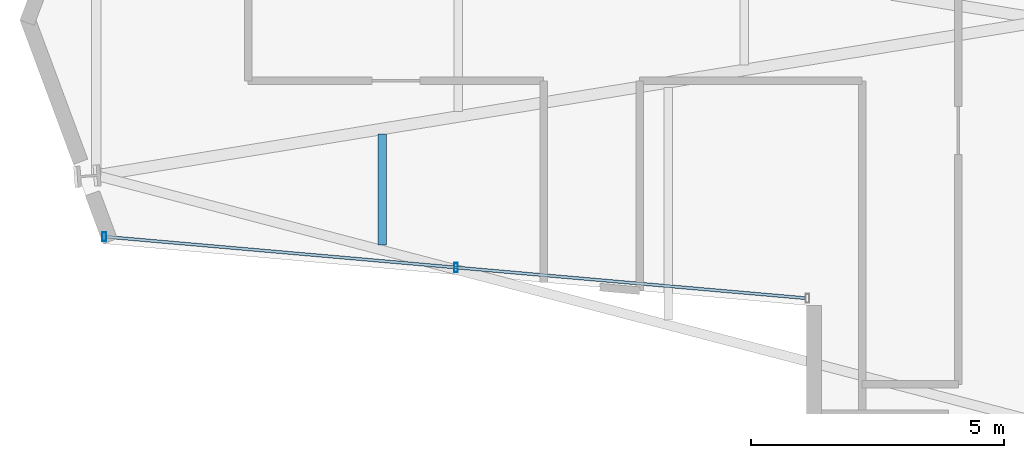
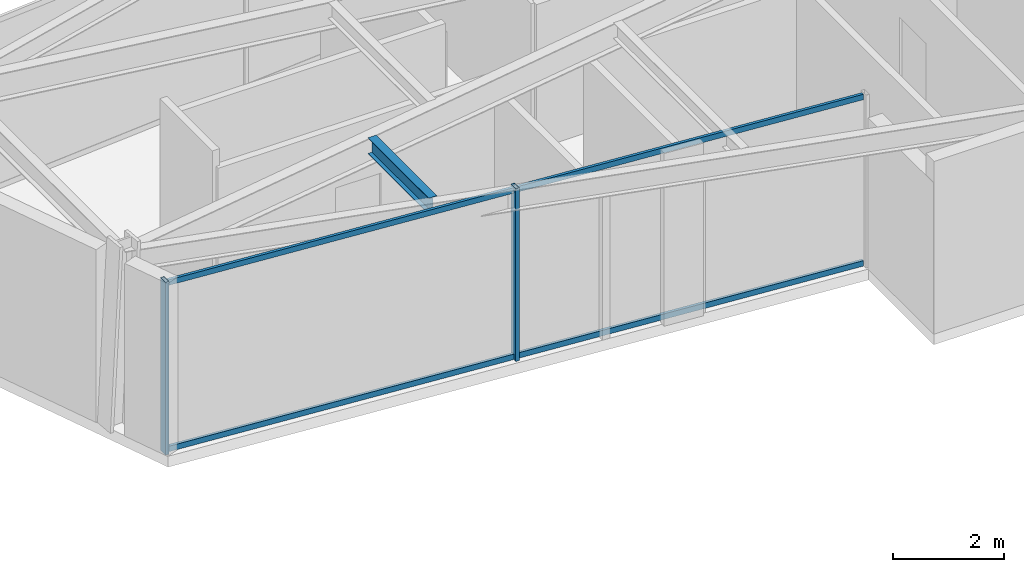
# One storey, part 2 of 25: 4 members, 1 beam, 1 element without a shape of its own.
"""IFC4 building model written with IfcOpenShell, lengths in metres."""

from ifc_helpers import new_model, si_unit, direction, frame, origin, origin_2d, place, context, subcontext, project, spatial, hollow_rectangle, i_section, extrude, material, layer, layer_set, material_profile, profile_set, type_object, element, aggregate, save


model = new_model("IFC4")

# Units and contexts
model_context = context("Model", 3, precision=1e-05, world=origin(), true_north=direction((0.0, 1.0)))
body_context = subcontext(model_context, "Body", "Model", "MODEL_VIEW")
ifc_project = project(units=[si_unit("LENGTHUNIT", "METRE"), si_unit("AREAUNIT", "SQUARE_METRE"), si_unit("VOLUMEUNIT", "CUBIC_METRE"), si_unit("PLANEANGLEUNIT", "RADIAN"), si_unit("MASSUNIT", "GRAM", prefix="KILO")], contexts=[model_context])

# Site, building, storey
site_placement = place(None, origin())
site = spatial("IfcSite", under=ifc_project, at=site_placement, CompositionType="ELEMENT")
building_placement = place(site_placement, origin())
building = spatial("IfcBuilding", under=site, at=building_placement, Name="Veymaron Broadcast Tower", CompositionType="ELEMENT")
storey_placement = place(building_placement, frame((0.0, 0.0, 173.550048828125)))
storey = spatial("IfcBuildingStorey", under=building, at=storey_placement, Name="L40", CompositionType="ELEMENT", Elevation=173.550048828125)

# Beam
ifc_material_1 = material(Name="Structural steel ASTM A992 Gr 50", Category="steel")
ifc_material_profile_1 = material_profile(ifc_material_1, i_section(OverallWidth=0.1708984375, OverallDepth=0.35498046875, WebThickness=0.007080078125, FlangeThickness=0.01171875, at=origin_2d()), Name="W360X51")
ifc_profile_set_1 = profile_set([ifc_material_profile_1], Name="Structural steel ASTM A992 Gr 50")
beam_type = type_object("IfcBeamType", Name="BM-JS2", PredefinedType="JOIST", material=ifc_profile_set_1)
beam_placement = place(storey_placement, frame((18.0078125, 19.551025390625, 3.632568359375), z_axis=(0.0, 1.0, 0.0), x_axis=(-1.0, 0.0, 0.0)))
element("IfcBeam", 1, at=beam_placement, inside=storey, type_object=beam_type, Name="L40 Arm-A secondary joist 1S", PredefinedType="JOIST", context=body_context, shape_type="SweptSolid", body=[
    extrude(i_section(OverallWidth=0.1708984375, OverallDepth=0.35498046875, WebThickness=0.007080078125, FlangeThickness=0.01171875, at=origin_2d()), origin(), (0.0, 0.0, 1.0), 2.199951171875),
])

# Curtain wall, members
ifc_material_2 = material(Name="Anodised aluminium AA 6063-T6 and laminated low-E dark glass", Category="aluminium")
ifc_layer = layer(ifc_material_2, 0.179931640625)
ifc_layer_set = layer_set([ifc_layer], Name="Anodised aluminium AA 6063-T6 and laminated low-E dark glass")
curtain_wall_type = type_object("IfcCurtainWallType", Name="CW-SYS-03", PredefinedType="NOTDEFINED", material=ifc_layer_set)
curtain_wall_placement = place(storey_placement, origin())
curtain_wall = element("IfcCurtainWall", 2, at=curtain_wall_placement, inside=storey, type_object=curtain_wall_type, Name="L40 dark-glass curtain wall CW-L40-E14-1", PredefinedType="NOTDEFINED")
ifc_material_3 = material(Name="Anodised aluminium AA 6063-T6", Category="aluminium")
ifc_material_profile_2 = material_profile(ifc_material_3, hollow_rectangle(XDim=0.074951171875, YDim=0.179931640625, WallThickness=0.0048828125, at=origin_2d()), Name="AL180X75X5")
ifc_profile_set_2 = profile_set([ifc_material_profile_2], Name="Anodised aluminium AA 6063-T6")
member_type_1 = type_object("IfcMemberType", Name="CW-MUL-02", PredefinedType="MULLION", material=ifc_profile_set_2)
member_1_placement = place(storey_placement, frame((12.51220703125, 19.720458984375, 0.0), z_axis=(0.0, 0.0, 1.0), x_axis=(1.0, 0.0, 0.0)))
member_1 = element("IfcMember", 3, at=member_1_placement, type_object=member_type_1, Name="CW-L40-E14-1 mullion 0", PredefinedType="MULLION", context=body_context, shape_type="SweptSolid", body=[
    extrude(hollow_rectangle(XDim=0.074951171875, YDim=0.179931640625, WallThickness=0.0048828125, at=origin_2d()), origin(), (0.0, 0.0, 1.0), 3.81005859375),
])
member_2_placement = place(storey_placement, frame((19.46630859375, 19.110595703125, 0.0), z_axis=(0.0, 0.0, 1.0), x_axis=(1.0, 0.0, 0.0)))
member_2 = element("IfcMember", 4, at=member_2_placement, type_object=member_type_1, Name="CW-L40-E14-1 mullion 1", PredefinedType="MULLION", context=body_context, shape_type="SweptSolid", body=[
    extrude(hollow_rectangle(XDim=0.074951171875, YDim=0.179931640625, WallThickness=0.0048828125, at=origin_2d()), origin(), (0.0, 0.0, 1.0), 3.81005859375),
])
ifc_material_profile_3 = material_profile(ifc_material_3, hollow_rectangle(XDim=0.06005859375, YDim=0.1201171875, WallThickness=0.00390625, at=origin_2d()), Name="AL120X60X4")
ifc_profile_set_3 = profile_set([ifc_material_profile_3], Name="Anodised aluminium AA 6063-T6")
member_type_2 = type_object("IfcMemberType", Name="CW-TRN-02", PredefinedType="USERDEFINED", material=ifc_profile_set_3)
member_3_placement = place(storey_placement, frame((12.56201171875, 19.716064453125, 0.070068359375), z_axis=(0.996175208104, -0.087378228176, 0.0), x_axis=(0.087378228176, 0.996175208104, 0.0)))
member_3 = element("IfcMember", 5, at=member_3_placement, type_object=member_type_2, Name="CW-L40-E14-1 transom B", ObjectType="TRANSOM", PredefinedType="USERDEFINED", context=body_context, shape_type="SweptSolid", body=[
    extrude(hollow_rectangle(XDim=0.06005859375, YDim=0.1201171875, WallThickness=0.00390625, at=origin_2d()), origin(), (0.0, 0.0, 1.0), 13.861328125),
])
member_4_placement = place(storey_placement, frame((12.56201171875, 19.716064453125, 3.739990234375), z_axis=(0.996175208104, -0.087378228176, 0.0), x_axis=(0.087378228176, 0.996175208104, 0.0)))
member_4 = element("IfcMember", 6, at=member_4_placement, type_object=member_type_2, Name="CW-L40-E14-1 transom T", ObjectType="TRANSOM", PredefinedType="USERDEFINED", context=body_context, shape_type="SweptSolid", body=[
    extrude(hollow_rectangle(XDim=0.06005859375, YDim=0.1201171875, WallThickness=0.00390625, at=origin_2d()), origin(), (0.0, 0.0, 1.0), 13.861328125),
])
aggregate(curtain_wall, [member_1, member_2, member_3, member_4])

save(model, "model.ifc")
